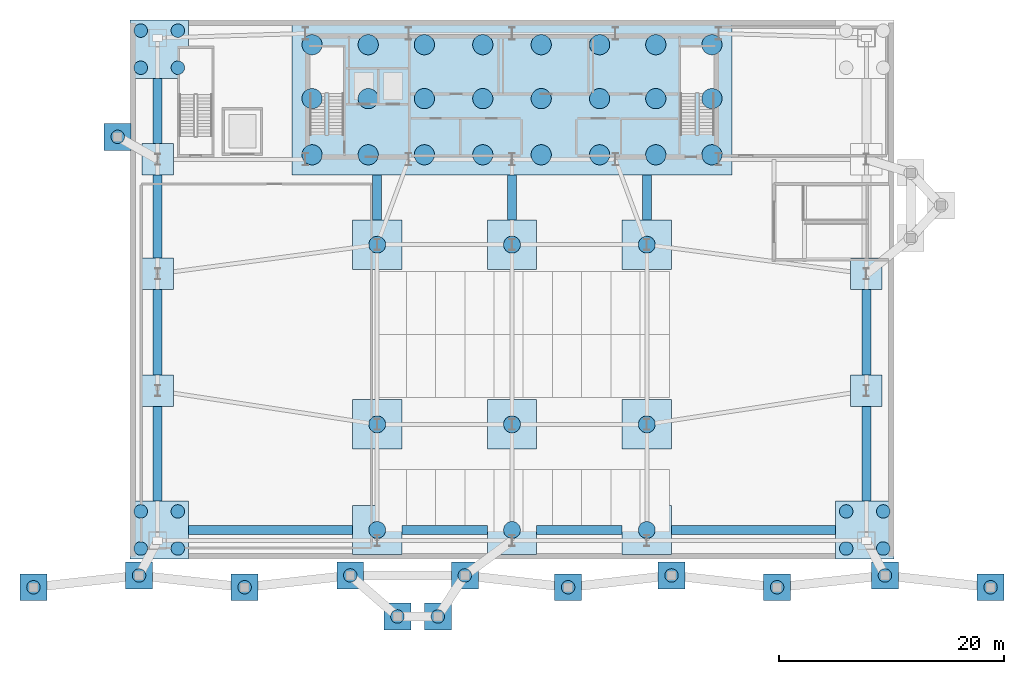
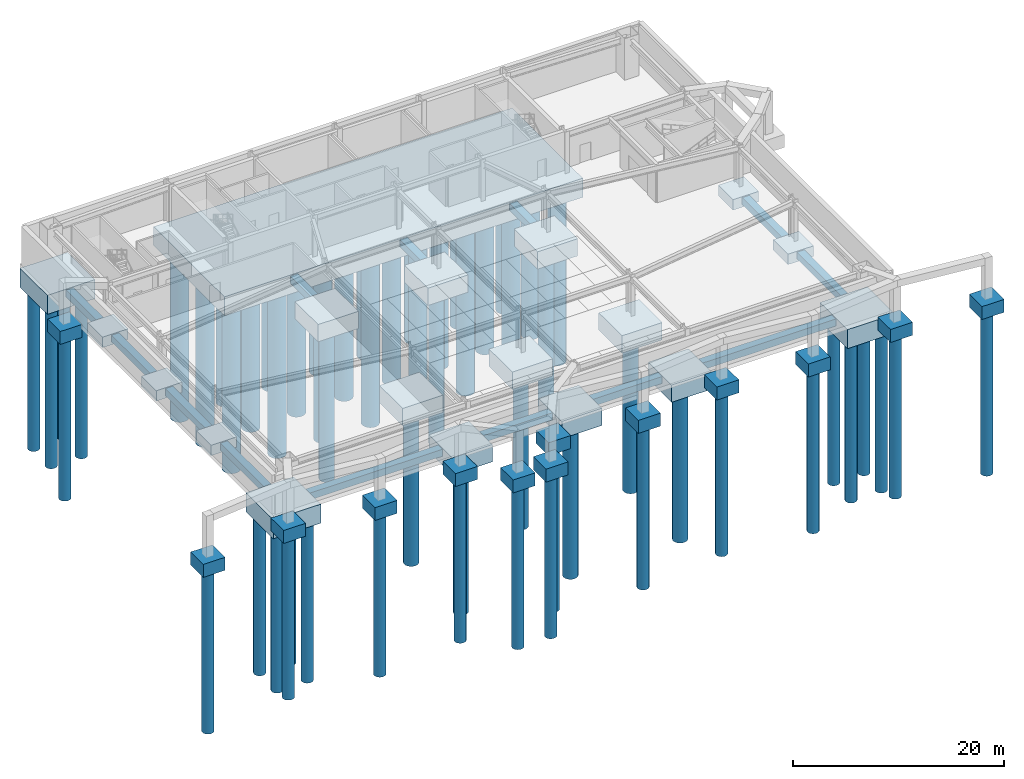
# One storey, part 1 of 12: 58 piles, 44 footings.
"""IFC4 building model written with IfcOpenShell, lengths in metres."""

from ifc_helpers import new_model, si_unit, direction, frame, origin, origin_2d, place, context, subcontext, project, spatial, polyline, rectangle, circle, outline, extrude, source, transform, mapped, material, material_profile, profile_set, type_object, type_shapes, element, save


model = new_model("IFC4")

# Units and contexts
model_context = context("Model", 3, precision=1e-05, world=origin(), true_north=direction((0.0, 1.0)))
body_context = subcontext(model_context, "Body", "Model", "MODEL_VIEW")
ifc_project = project(units=[si_unit("LENGTHUNIT", "METRE"), si_unit("AREAUNIT", "SQUARE_METRE"), si_unit("VOLUMEUNIT", "CUBIC_METRE"), si_unit("PLANEANGLEUNIT", "RADIAN"), si_unit("MASSUNIT", "GRAM", prefix="KILO")], contexts=[model_context])

# Site, building, storey
site_placement = place(None, origin())
site = spatial("IfcSite", under=ifc_project, at=site_placement, CompositionType="ELEMENT")
building_placement = place(site_placement, origin())
building = spatial("IfcBuilding", under=site, at=building_placement, Name="Varnel Quay Broadcast Tower", CompositionType="ELEMENT")
storey_placement = place(building_placement, frame((0.0, 0.0, -9.60009765625)))
storey = spatial("IfcBuildingStorey", under=building, at=storey_placement, Name="B2", CompositionType="ELEMENT", Elevation=-9.60009765625)

# Footings
ifc_material = material(Name="Concrete CSA A23.3 C50/60", Category="concrete")
footing_type_1 = type_object("IfcFootingType", Name="Footing_CoreMat2200", PredefinedType="PILE_CAP", material=ifc_material)
footing_1_placement = place(storey_placement, frame((0.0, 0.0, -2.699951171875)))
element("IfcFooting", 1, at=footing_1_placement, inside=storey, type_object=footing_type_1, Name="Core Mat Pile Cap PC-CORE", PredefinedType="PILE_CAP", context=body_context, shape_type="SweptSolid", body=[
    extrude(outline(polyline([(14.39990234375, 34.199951171875), (53.60009765625, 34.199951171875), (53.60009765625, 47.60009765625), (14.39990234375, 47.60009765625), (14.39990234375, 34.199951171875)])), origin(), (0.0, 0.0, 1.0), 2.199951171875),
])
footing_type_2 = type_object("IfcFootingType", Name="Footing_MegaCap5200", PredefinedType="PILE_CAP", material=ifc_material)
footing_2_placement = place(storey_placement, frame((0.0, 0.0, -2.699951171875)))
element("IfcFooting", 2, at=footing_2_placement, inside=storey, type_object=footing_type_2, Name="Mega-Column Pile Cap FT-MC-SW", PredefinedType="PILE_CAP", context=body_context, shape_type="SweptSolid", body=[
    extrude(outline(polyline([(0.0, 0.0), (5.199951171875, 0.0), (5.199951171875, 5.199951171875), (0.0, 5.199951171875), (0.0, 0.0)])), origin(), (0.0, 0.0, 1.0), 2.199951171875),
])
footing_3_placement = place(storey_placement, frame((0.0, 0.0, -2.699951171875)))
element("IfcFooting", 3, at=footing_3_placement, inside=storey, type_object=footing_type_2, Name="Mega-Column Pile Cap FT-MC-SE", PredefinedType="PILE_CAP", context=body_context, shape_type="SweptSolid", body=[
    extrude(outline(polyline([(62.800048828125, 0.0), (68.0, 0.0), (68.0, 5.199951171875), (62.800048828125, 5.199951171875), (62.800048828125, 0.0)])), origin(), (0.0, 0.0, 1.0), 2.199951171875),
])
footing_4_placement = place(storey_placement, frame((0.0, 0.0, -2.699951171875)))
element("IfcFooting", 4, at=footing_4_placement, inside=storey, type_object=footing_type_2, Name="Mega-Column Pile Cap FT-MC-NW", PredefinedType="PILE_CAP", context=body_context, shape_type="SweptSolid", body=[
    extrude(outline(polyline([(0.0, 42.800048828125), (5.199951171875, 42.800048828125), (5.199951171875, 48.0), (0.0, 48.0), (0.0, 42.800048828125)])), origin(), (0.0, 0.0, 1.0), 2.199951171875),
])
footing_type_3 = type_object("IfcFootingType", Name="Footing_Pad2800", PredefinedType="PAD_FOOTING", material=ifc_material)
footing_5_placement = place(storey_placement, frame((0.0, 0.0, -1.699951171875)))
element("IfcFooting", 5, at=footing_5_placement, inside=storey, type_object=footing_type_3, Name="Perimeter Pad Footing PF09", PredefinedType="PAD_FOOTING", context=body_context, shape_type="SweptSolid", body=[
    extrude(outline(polyline([(1.050048828125, 13.60009765625), (3.85009765625, 13.60009765625), (3.85009765625, 16.39990234375), (1.050048828125, 16.39990234375), (1.050048828125, 13.60009765625)])), origin(), (0.0, 0.0, 1.0), 1.199951171875),
])
footing_6_placement = place(storey_placement, frame((0.0, 0.0, -1.699951171875)))
element("IfcFooting", 6, at=footing_6_placement, inside=storey, type_object=footing_type_3, Name="Perimeter Pad Footing PF10", PredefinedType="PAD_FOOTING", context=body_context, shape_type="SweptSolid", body=[
    extrude(outline(polyline([(1.050048828125, 24.0), (3.85009765625, 24.0), (3.85009765625, 26.800048828125), (1.050048828125, 26.800048828125), (1.050048828125, 24.0)])), origin(), (0.0, 0.0, 1.0), 1.199951171875),
])
footing_7_placement = place(storey_placement, frame((0.0, 0.0, -1.699951171875)))
element("IfcFooting", 7, at=footing_7_placement, inside=storey, type_object=footing_type_3, Name="Perimeter Pad Footing PF11", PredefinedType="PAD_FOOTING", context=body_context, shape_type="SweptSolid", body=[
    extrude(outline(polyline([(1.050048828125, 34.199951171875), (3.85009765625, 34.199951171875), (3.85009765625, 37.0), (1.050048828125, 37.0), (1.050048828125, 34.199951171875)])), origin(), (0.0, 0.0, 1.0), 1.199951171875),
])
footing_8_placement = place(storey_placement, frame((0.0, 0.0, -1.699951171875)))
element("IfcFooting", 8, at=footing_8_placement, inside=storey, type_object=footing_type_3, Name="Perimeter Pad Footing PF12", PredefinedType="PAD_FOOTING", context=body_context, shape_type="SweptSolid", body=[
    extrude(outline(polyline([(64.14990234375, 13.60009765625), (66.949951171875, 13.60009765625), (66.949951171875, 16.39990234375), (64.14990234375, 16.39990234375), (64.14990234375, 13.60009765625)])), origin(), (0.0, 0.0, 1.0), 1.199951171875),
])
footing_9_placement = place(storey_placement, frame((0.0, 0.0, -1.699951171875)))
element("IfcFooting", 9, at=footing_9_placement, inside=storey, type_object=footing_type_3, Name="Perimeter Pad Footing PF13", PredefinedType="PAD_FOOTING", context=body_context, shape_type="SweptSolid", body=[
    extrude(outline(polyline([(64.14990234375, 24.0), (66.949951171875, 24.0), (66.949951171875, 26.800048828125), (64.14990234375, 26.800048828125), (64.14990234375, 24.0)])), origin(), (0.0, 0.0, 1.0), 1.199951171875),
])
footing_type_4 = type_object("IfcFootingType", Name="Footing_PierCap4400", PredefinedType="PILE_CAP", material=ifc_material)
footing_10_placement = place(storey_placement, frame((0.0, 0.0, -2.5)))
element("IfcFooting", 10, at=footing_10_placement, inside=storey, type_object=footing_type_4, Name="Studio Pier Cap PC01", PredefinedType="PILE_CAP", context=body_context, shape_type="SweptSolid", body=[
    extrude(outline(polyline([(19.800048828125, 0.39990234375), (24.199951171875, 0.39990234375), (24.199951171875, 4.800048828125), (19.800048828125, 4.800048828125), (19.800048828125, 0.39990234375)])), origin(), (0.0, 0.0, 1.0), 2.0),
])
footing_11_placement = place(storey_placement, frame((0.0, 0.0, -2.5)))
element("IfcFooting", 11, at=footing_11_placement, inside=storey, type_object=footing_type_4, Name="Studio Pier Cap PC02", PredefinedType="PILE_CAP", context=body_context, shape_type="SweptSolid", body=[
    extrude(outline(polyline([(31.800048828125, 0.39990234375), (36.199951171875, 0.39990234375), (36.199951171875, 4.800048828125), (31.800048828125, 4.800048828125), (31.800048828125, 0.39990234375)])), origin(), (0.0, 0.0, 1.0), 2.0),
])
footing_12_placement = place(storey_placement, frame((0.0, 0.0, -2.5)))
element("IfcFooting", 12, at=footing_12_placement, inside=storey, type_object=footing_type_4, Name="Studio Pier Cap PC03", PredefinedType="PILE_CAP", context=body_context, shape_type="SweptSolid", body=[
    extrude(outline(polyline([(43.800048828125, 0.39990234375), (48.199951171875, 0.39990234375), (48.199951171875, 4.800048828125), (43.800048828125, 4.800048828125), (43.800048828125, 0.39990234375)])), origin(), (0.0, 0.0, 1.0), 2.0),
])
footing_13_placement = place(storey_placement, frame((0.0, 0.0, -2.5)))
element("IfcFooting", 13, at=footing_13_placement, inside=storey, type_object=footing_type_4, Name="Studio Pier Cap PC04", PredefinedType="PILE_CAP", context=body_context, shape_type="SweptSolid", body=[
    extrude(outline(polyline([(19.800048828125, 9.800048828125), (24.199951171875, 9.800048828125), (24.199951171875, 14.199951171875), (19.800048828125, 14.199951171875), (19.800048828125, 9.800048828125)])), origin(), (0.0, 0.0, 1.0), 2.0),
])
footing_14_placement = place(storey_placement, frame((0.0, 0.0, -2.5)))
element("IfcFooting", 14, at=footing_14_placement, inside=storey, type_object=footing_type_4, Name="Studio Pier Cap PC04B", PredefinedType="PILE_CAP", context=body_context, shape_type="SweptSolid", body=[
    extrude(outline(polyline([(31.800048828125, 9.800048828125), (36.199951171875, 9.800048828125), (36.199951171875, 14.199951171875), (31.800048828125, 14.199951171875), (31.800048828125, 9.800048828125)])), origin(), (0.0, 0.0, 1.0), 2.0),
])
footing_15_placement = place(storey_placement, frame((0.0, 0.0, -2.5)))
element("IfcFooting", 15, at=footing_15_placement, inside=storey, type_object=footing_type_4, Name="Studio Pier Cap PC05", PredefinedType="PILE_CAP", context=body_context, shape_type="SweptSolid", body=[
    extrude(outline(polyline([(43.800048828125, 9.800048828125), (48.199951171875, 9.800048828125), (48.199951171875, 14.199951171875), (43.800048828125, 14.199951171875), (43.800048828125, 9.800048828125)])), origin(), (0.0, 0.0, 1.0), 2.0),
])
footing_16_placement = place(storey_placement, frame((0.0, 0.0, -2.5)))
element("IfcFooting", 16, at=footing_16_placement, inside=storey, type_object=footing_type_4, Name="Studio Pier Cap PC06", PredefinedType="PILE_CAP", context=body_context, shape_type="SweptSolid", body=[
    extrude(outline(polyline([(19.800048828125, 25.800048828125), (24.199951171875, 25.800048828125), (24.199951171875, 30.199951171875), (19.800048828125, 30.199951171875), (19.800048828125, 25.800048828125)])), origin(), (0.0, 0.0, 1.0), 2.0),
])
footing_17_placement = place(storey_placement, frame((0.0, 0.0, -2.5)))
element("IfcFooting", 17, at=footing_17_placement, inside=storey, type_object=footing_type_4, Name="Studio Pier Cap PC07", PredefinedType="PILE_CAP", context=body_context, shape_type="SweptSolid", body=[
    extrude(outline(polyline([(31.800048828125, 25.800048828125), (36.199951171875, 25.800048828125), (36.199951171875, 30.199951171875), (31.800048828125, 30.199951171875), (31.800048828125, 25.800048828125)])), origin(), (0.0, 0.0, 1.0), 2.0),
])
footing_18_placement = place(storey_placement, frame((0.0, 0.0, -2.5)))
element("IfcFooting", 18, at=footing_18_placement, inside=storey, type_object=footing_type_4, Name="Studio Pier Cap PC08", PredefinedType="PILE_CAP", context=body_context, shape_type="SweptSolid", body=[
    extrude(outline(polyline([(43.800048828125, 25.800048828125), (48.199951171875, 25.800048828125), (48.199951171875, 30.199951171875), (43.800048828125, 30.199951171875), (43.800048828125, 25.800048828125)])), origin(), (0.0, 0.0, 1.0), 2.0),
])
footing_type_5 = type_object("IfcFootingType", Name="Footing_PromCap2400", PredefinedType="PILE_CAP", material=ifc_material)
footing_19_placement = place(storey_placement, frame((0.0, 0.0, -1.5)))
element("IfcFooting", 19, at=footing_19_placement, inside=storey, type_object=footing_type_5, Name="Exterior Pier Pile Cap PRM01", PredefinedType="PILE_CAP", context=body_context, shape_type="SweptSolid", body=[
    extrude(outline(polyline([(-9.800048828125, -3.699951171875), (-7.39990234375, -3.699951171875), (-7.39990234375, -1.300048828125), (-9.800048828125, -1.300048828125), (-9.800048828125, -3.699951171875)])), origin(), (0.0, 0.0, 1.0), 1.5),
])
footing_20_placement = place(storey_placement, frame((0.0, 0.0, -1.5)))
element("IfcFooting", 20, at=footing_20_placement, inside=storey, type_object=footing_type_5, Name="Exterior Pier Pile Cap PRM02", PredefinedType="PILE_CAP", context=body_context, shape_type="SweptSolid", body=[
    extrude(outline(polyline([(-0.39990234375, -2.64990234375), (2.0, -2.64990234375), (2.0, -0.25), (-0.39990234375, -0.25), (-0.39990234375, -2.64990234375)])), origin(), (0.0, 0.0, 1.0), 1.5),
])
footing_21_placement = place(storey_placement, frame((0.0, 0.0, -1.5)))
element("IfcFooting", 21, at=footing_21_placement, inside=storey, type_object=footing_type_5, Name="Exterior Pier Pile Cap PRM03", PredefinedType="PILE_CAP", context=body_context, shape_type="SweptSolid", body=[
    extrude(outline(polyline([(9.0, -3.699951171875), (11.39990234375, -3.699951171875), (11.39990234375, -1.300048828125), (9.0, -1.300048828125), (9.0, -3.699951171875)])), origin(), (0.0, 0.0, 1.0), 1.5),
])
footing_22_placement = place(storey_placement, frame((0.0, 0.0, -1.5)))
element("IfcFooting", 22, at=footing_22_placement, inside=storey, type_object=footing_type_5, Name="Exterior Pier Pile Cap PRM04", PredefinedType="PILE_CAP", context=body_context, shape_type="SweptSolid", body=[
    extrude(outline(polyline([(18.39990234375, -2.64990234375), (20.800048828125, -2.64990234375), (20.800048828125, -0.25), (18.39990234375, -0.25), (18.39990234375, -2.64990234375)])), origin(), (0.0, 0.0, 1.0), 1.5),
])
footing_23_placement = place(storey_placement, frame((0.0, 0.0, -1.5)))
element("IfcFooting", 23, at=footing_23_placement, inside=storey, type_object=footing_type_5, Name="Exterior Pier Pile Cap PRM05", PredefinedType="PILE_CAP", context=body_context, shape_type="SweptSolid", body=[
    extrude(outline(polyline([(28.60009765625, -2.64990234375), (31.0, -2.64990234375), (31.0, -0.25), (28.60009765625, -0.25), (28.60009765625, -2.64990234375)])), origin(), (0.0, 0.0, 1.0), 1.5),
])
footing_24_placement = place(storey_placement, frame((0.0, 0.0, -1.5)))
element("IfcFooting", 24, at=footing_24_placement, inside=storey, type_object=footing_type_5, Name="Exterior Pier Pile Cap PRM06", PredefinedType="PILE_CAP", context=body_context, shape_type="SweptSolid", body=[
    extrude(outline(polyline([(37.800048828125, -3.699951171875), (40.199951171875, -3.699951171875), (40.199951171875, -1.300048828125), (37.800048828125, -1.300048828125), (37.800048828125, -3.699951171875)])), origin(), (0.0, 0.0, 1.0), 1.5),
])
footing_25_placement = place(storey_placement, frame((0.0, 0.0, -1.5)))
element("IfcFooting", 25, at=footing_25_placement, inside=storey, type_object=footing_type_5, Name="Exterior Pier Pile Cap PRM07", PredefinedType="PILE_CAP", context=body_context, shape_type="SweptSolid", body=[
    extrude(outline(polyline([(47.0, -2.64990234375), (49.39990234375, -2.64990234375), (49.39990234375, -0.25), (47.0, -0.25), (47.0, -2.64990234375)])), origin(), (0.0, 0.0, 1.0), 1.5),
])
footing_26_placement = place(storey_placement, frame((0.0, 0.0, -1.5)))
element("IfcFooting", 26, at=footing_26_placement, inside=storey, type_object=footing_type_5, Name="Exterior Pier Pile Cap PRM08", PredefinedType="PILE_CAP", context=body_context, shape_type="SweptSolid", body=[
    extrude(outline(polyline([(56.39990234375, -3.699951171875), (58.800048828125, -3.699951171875), (58.800048828125, -1.300048828125), (56.39990234375, -1.300048828125), (56.39990234375, -3.699951171875)])), origin(), (0.0, 0.0, 1.0), 1.5),
])
footing_27_placement = place(storey_placement, frame((0.0, 0.0, -1.5)))
element("IfcFooting", 27, at=footing_27_placement, inside=storey, type_object=footing_type_5, Name="Exterior Pier Pile Cap PRM09", PredefinedType="PILE_CAP", context=body_context, shape_type="SweptSolid", body=[
    extrude(outline(polyline([(66.0, -2.64990234375), (68.39990234375, -2.64990234375), (68.39990234375, -0.25), (66.0, -0.25), (66.0, -2.64990234375)])), origin(), (0.0, 0.0, 1.0), 1.5),
])
footing_28_placement = place(storey_placement, frame((0.0, 0.0, -1.5)))
element("IfcFooting", 28, at=footing_28_placement, inside=storey, type_object=footing_type_5, Name="Exterior Pier Pile Cap PRM10", PredefinedType="PILE_CAP", context=body_context, shape_type="SweptSolid", body=[
    extrude(outline(polyline([(75.39990234375, -3.699951171875), (77.800048828125, -3.699951171875), (77.800048828125, -1.300048828125), (75.39990234375, -1.300048828125), (75.39990234375, -3.699951171875)])), origin(), (0.0, 0.0, 1.0), 1.5),
])
footing_29_placement = place(storey_placement, frame((0.0, 0.0, -1.5)))
element("IfcFooting", 29, at=footing_29_placement, inside=storey, type_object=footing_type_5, Name="Exterior Pier Pile Cap QRMP1", PredefinedType="PILE_CAP", context=body_context, shape_type="SweptSolid", body=[
    extrude(outline(polyline([(22.60009765625, -6.300048828125), (25.0, -6.300048828125), (25.0, -3.89990234375), (22.60009765625, -3.89990234375), (22.60009765625, -6.300048828125)])), origin(), (0.0, 0.0, 1.0), 1.5),
])
footing_30_placement = place(storey_placement, frame((0.0, 0.0, -1.5)))
element("IfcFooting", 30, at=footing_30_placement, inside=storey, type_object=footing_type_5, Name="Exterior Pier Pile Cap QRMP2", PredefinedType="PILE_CAP", context=body_context, shape_type="SweptSolid", body=[
    extrude(outline(polyline([(26.199951171875, -6.300048828125), (28.60009765625, -6.300048828125), (28.60009765625, -3.89990234375), (26.199951171875, -3.89990234375), (26.199951171875, -6.300048828125)])), origin(), (0.0, 0.0, 1.0), 1.5),
])
footing_31_placement = place(storey_placement, frame((0.0, 0.0, -1.5)))
element("IfcFooting", 31, at=footing_31_placement, inside=storey, type_object=footing_type_5, Name="Exterior Pier Pile Cap WEXT1", PredefinedType="PILE_CAP", context=body_context, shape_type="SweptSolid", body=[
    extrude(outline(polyline([(-2.300048828125, 36.39990234375), (0.10009765625, 36.39990234375), (0.10009765625, 38.800048828125), (-2.300048828125, 38.800048828125), (-2.300048828125, 36.39990234375)])), origin(), (0.0, 0.0, 1.0), 1.5),
])

# Piles
ifc_material_profile_1 = material_profile(ifc_material, circle(Radius=0.89990234375, at=origin_2d()), Name="CAISSON1800")
ifc_profile_set_1 = profile_set([ifc_material_profile_1], Name="Concrete CSA A23.3 C50/60")
pile_type_1 = type_object("IfcPileType", Name="Pile_CAISSON1800", PredefinedType="BORED", material=ifc_profile_set_1)
shared_shape_1 = source(origin(), body_context, "Body", "SweptSolid", [
    extrude(circle(Radius=0.89990234375, at=origin_2d()), origin(), (0.0, 0.0, 1.0), 19.5),
])
type_shapes(pile_type_1, [shared_shape_1])
for number, where, z_axis, x_axis, name in (
    (32, (16.199951171875, 36.0, -2.5498046875), (0.0, 0.0, -1.0), (1.0, 0.0, 0.0), "Core Caisson P-1800 #1"),
    (33, (16.199951171875, 41.0, -2.5498046875), (0.0, 0.0, -1.0), (1.0, 0.0, 0.0), "Core Caisson P-1800 #2"),
    (34, (16.199951171875, 45.800048828125, -2.5498046875), (0.0, 0.0, -1.0), (1.0, 0.0, 0.0), "Core Caisson P-1800 #3"),
    (35, (21.199951171875, 36.0, -2.5498046875), (0.0, 0.0, -1.0), (1.0, 0.0, 0.0), "Core Caisson P-1800 #4"),
    (36, (21.199951171875, 41.0, -2.5498046875), (0.0, 0.0, -1.0), (1.0, 0.0, 0.0), "Core Caisson P-1800 #5"),
    (37, (21.199951171875, 45.800048828125, -2.5498046875), (0.0, 0.0, -1.0), (1.0, 0.0, 0.0), "Core Caisson P-1800 #6"),
    (38, (26.199951171875, 36.0, -2.5498046875), (0.0, 0.0, -1.0), (1.0, 0.0, 0.0), "Core Caisson P-1800 #7"),
    (39, (26.199951171875, 41.0, -2.5498046875), (0.0, 0.0, -1.0), (1.0, 0.0, 0.0), "Core Caisson P-1800 #8"),
    (40, (26.199951171875, 45.800048828125, -2.5498046875), (0.0, 0.0, -1.0), (1.0, 0.0, 0.0), "Core Caisson P-1800 #9"),
    (41, (31.39990234375, 36.0, -2.5498046875), (0.0, 0.0, -1.0), (1.0, 0.0, 0.0), "Core Caisson P-1800 #10"),
    (42, (31.39990234375, 41.0, -2.5498046875), (0.0, 0.0, -1.0), (1.0, 0.0, 0.0), "Core Caisson P-1800 #11"),
    (43, (31.39990234375, 45.800048828125, -2.5498046875), (0.0, 0.0, -1.0), (1.0, 0.0, 0.0), "Core Caisson P-1800 #12"),
    (44, (36.60009765625, 36.0, -2.5498046875), (0.0, 0.0, -1.0), (1.0, 0.0, 0.0), "Core Caisson P-1800 #13"),
    (45, (36.60009765625, 41.0, -2.5498046875), (0.0, 0.0, -1.0), (1.0, 0.0, 0.0), "Core Caisson P-1800 #14"),
    (46, (36.60009765625, 45.800048828125, -2.5498046875), (0.0, 0.0, -1.0), (1.0, 0.0, 0.0), "Core Caisson P-1800 #15"),
    (47, (41.800048828125, 36.0, -2.5498046875), (0.0, 0.0, -1.0), (1.0, 0.0, 0.0), "Core Caisson P-1800 #16"),
    (48, (41.800048828125, 41.0, -2.5498046875), (0.0, 0.0, -1.0), (1.0, 0.0, 0.0), "Core Caisson P-1800 #17"),
    (49, (41.800048828125, 45.800048828125, -2.5498046875), (0.0, 0.0, -1.0), (1.0, 0.0, 0.0), "Core Caisson P-1800 #18"),
    (50, (46.800048828125, 36.0, -2.5498046875), (0.0, 0.0, -1.0), (1.0, 0.0, 0.0), "Core Caisson P-1800 #19"),
    (51, (46.800048828125, 41.0, -2.5498046875), (0.0, 0.0, -1.0), (1.0, 0.0, 0.0), "Core Caisson P-1800 #20"),
    (52, (46.800048828125, 45.800048828125, -2.5498046875), (0.0, 0.0, -1.0), (1.0, 0.0, 0.0), "Core Caisson P-1800 #21"),
    (53, (51.800048828125, 36.0, -2.5498046875), (0.0, 0.0, -1.0), (1.0, 0.0, 0.0), "Core Caisson P-1800 #22"),
    (54, (51.800048828125, 41.0, -2.5498046875), (0.0, 0.0, -1.0), (1.0, 0.0, 0.0), "Core Caisson P-1800 #23"),
    (55, (51.800048828125, 45.800048828125, -2.5498046875), (0.0, 0.0, -1.0), (1.0, 0.0, 0.0), "Core Caisson P-1800 #24"),
):
    element("IfcPile", number, at=place(storey_placement, frame(where, z_axis=z_axis, x_axis=x_axis)), inside=storey, type_object=pile_type_1, Name=name, PredefinedType="BORED", context=body_context, shape_type="MappedRepresentation", body=[
        mapped(shared_shape_1, transform((0.0, 0.0, 0.0), x_axis=(1.0, 0.0, 0.0), y_axis=(0.0, 1.0, 0.0), z_axis=(0.0, 0.0, 1.0), scale=1.0)),
    ])
ifc_material_profile_2 = material_profile(ifc_material, circle(Radius=0.60009765625, at=origin_2d()), Name="CAISSON1200")
ifc_profile_set_2 = profile_set([ifc_material_profile_2], Name="Concrete CSA A23.3 C50/60")
pile_type_2 = type_object("IfcPileType", Name="Pile_CAISSON1200", PredefinedType="BORED", material=ifc_profile_set_2)
shared_shape_2 = source(origin(), body_context, "Body", "SweptSolid", [
    extrude(circle(Radius=0.60009765625, at=origin_2d()), origin(), (0.0, 0.0, 1.0), 18.5),
])
for number, where, z_axis, x_axis, name in (
    (56, (0.949951171875, 0.949951171875, -2.5498046875), (0.0, 0.0, -1.0), (1.0, 0.0, 0.0), "Mega-Cap Caisson P-1200 #25"),
    (57, (0.949951171875, 4.25, -2.5498046875), (0.0, 0.0, -1.0), (1.0, 0.0, 0.0), "Mega-Cap Caisson P-1200 #26"),
    (58, (4.25, 0.949951171875, -2.5498046875), (0.0, 0.0, -1.0), (1.0, 0.0, 0.0), "Mega-Cap Caisson P-1200 #27"),
    (59, (4.25, 4.25, -2.5498046875), (0.0, 0.0, -1.0), (1.0, 0.0, 0.0), "Mega-Cap Caisson P-1200 #28"),
    (60, (63.75, 0.949951171875, -2.5498046875), (0.0, 0.0, -1.0), (1.0, 0.0, 0.0), "Mega-Cap Caisson P-1200 #29"),
    (61, (63.75, 4.25, -2.5498046875), (0.0, 0.0, -1.0), (1.0, 0.0, 0.0), "Mega-Cap Caisson P-1200 #30"),
    (62, (67.050048828125, 0.949951171875, -2.5498046875), (0.0, 0.0, -1.0), (1.0, 0.0, 0.0), "Mega-Cap Caisson P-1200 #31"),
    (63, (67.050048828125, 4.25, -2.5498046875), (0.0, 0.0, -1.0), (1.0, 0.0, 0.0), "Mega-Cap Caisson P-1200 #32"),
    (64, (0.949951171875, 43.75, -2.5498046875), (0.0, 0.0, -1.0), (1.0, 0.0, 0.0), "Mega-Cap Caisson P-1200 #37"),
    (65, (0.949951171875, 47.050048828125, -2.5498046875), (0.0, 0.0, -1.0), (1.0, 0.0, 0.0), "Mega-Cap Caisson P-1200 #38"),
    (66, (4.25, 43.75, -2.5498046875), (0.0, 0.0, -1.0), (1.0, 0.0, 0.0), "Mega-Cap Caisson P-1200 #39"),
    (67, (4.25, 47.050048828125, -2.5498046875), (0.0, 0.0, -1.0), (1.0, 0.0, 0.0), "Mega-Cap Caisson P-1200 #40"),
):
    element("IfcPile", number, at=place(storey_placement, frame(where, z_axis=z_axis, x_axis=x_axis)), inside=storey, type_object=pile_type_2, Name=name, PredefinedType="BORED", context=body_context, shape_type="MappedRepresentation", body=[
        mapped(shared_shape_2, transform((0.0, 0.0, 0.0), x_axis=(1.0, 0.0, 0.0), y_axis=(0.0, 1.0, 0.0), z_axis=(0.0, 0.0, 1.0), scale=1.0)),
    ])
ifc_material_profile_3 = material_profile(ifc_material, circle(Radius=0.75, at=origin_2d()), Name="CAISSON1500")
ifc_profile_set_3 = profile_set([ifc_material_profile_3], Name="Concrete CSA A23.3 C50/60")
pile_type_3 = type_object("IfcPileType", Name="Pile_CAISSON1500", PredefinedType="BORED", material=ifc_profile_set_3)
shared_shape_3 = source(origin(), body_context, "Body", "SweptSolid", [
    extrude(circle(Radius=0.75, at=origin_2d()), origin(), (0.0, 0.0, 1.0), 18.0),
])
type_shapes(pile_type_3, [shared_shape_3])
for number, where, z_axis, x_axis, name in (
    (68, (22.0, 2.60009765625, -2.349853515625), (0.0, 0.0, -1.0), (1.0, 0.0, 0.0), "Studio Pier Caisson P-1500 #41"),
    (69, (34.0, 2.60009765625, -2.349853515625), (0.0, 0.0, -1.0), (1.0, 0.0, 0.0), "Studio Pier Caisson P-1500 #42"),
    (70, (46.0, 2.60009765625, -2.349853515625), (0.0, 0.0, -1.0), (1.0, 0.0, 0.0), "Studio Pier Caisson P-1500 #43"),
    (71, (22.0, 12.0, -2.349853515625), (0.0, 0.0, -1.0), (1.0, 0.0, 0.0), "Studio Pier Caisson P-1500 #44"),
    (72, (34.0, 12.0, -2.349853515625), (0.0, 0.0, -1.0), (1.0, 0.0, 0.0), "Studio Pier Caisson P-1500 #45"),
    (73, (46.0, 12.0, -2.349853515625), (0.0, 0.0, -1.0), (1.0, 0.0, 0.0), "Studio Pier Caisson P-1500 #46"),
    (74, (22.0, 28.0, -2.349853515625), (0.0, 0.0, -1.0), (1.0, 0.0, 0.0), "Studio Pier Caisson P-1500 #47"),
    (75, (34.0, 28.0, -2.349853515625), (0.0, 0.0, -1.0), (1.0, 0.0, 0.0), "Studio Pier Caisson P-1500 #48"),
    (76, (46.0, 28.0, -2.349853515625), (0.0, 0.0, -1.0), (1.0, 0.0, 0.0), "Studio Pier Caisson P-1500 #49"),
):
    element("IfcPile", number, at=place(storey_placement, frame(where, z_axis=z_axis, x_axis=x_axis)), inside=storey, type_object=pile_type_3, Name=name, PredefinedType="BORED", context=body_context, shape_type="MappedRepresentation", body=[
        mapped(shared_shape_3, transform((0.0, 0.0, 0.0), x_axis=(1.0, 0.0, 0.0), y_axis=(0.0, 1.0, 0.0), z_axis=(0.0, 0.0, 1.0), scale=1.0)),
    ])

# Footings
ifc_material_profile_4 = material_profile(ifc_material, rectangle(XDim=0.800048828125, YDim=0.800048828125, at=origin_2d()), Name="RC800X800")
ifc_profile_set_4 = profile_set([ifc_material_profile_4], Name="Concrete CSA A23.3 C50/60")
footing_type_6 = type_object("IfcFootingType", Name="Footing_TieBeam800", PredefinedType="FOOTING_BEAM", material=ifc_profile_set_4)
shared_shape_4 = source(origin(), body_context, "Body", "SweptSolid", [
    extrude(rectangle(XDim=0.800048828125, YDim=0.800048828125, at=origin_2d()), origin(), (0.0, 0.0, 1.0), 14.60009765625),
])
for number, where, z_axis, x_axis, name in (
    (77, (5.199951171875, 2.60009765625, -1.0), (1.0, 0.0, 0.0), (0.0, 1.0, 0.0), "Footing Tie Beam FB-S1"),
    (78, (48.199951171875, 2.60009765625, -1.0), (1.0, 0.0, 0.0), (0.0, 1.0, 0.0), "Footing Tie Beam FB-S4"),
):
    element("IfcFooting", number, at=place(storey_placement, frame(where, z_axis=z_axis, x_axis=x_axis)), inside=storey, type_object=footing_type_6, Name=name, PredefinedType="FOOTING_BEAM", context=body_context, shape_type="MappedRepresentation", body=[
        mapped(shared_shape_4, transform((0.0, 0.0, 0.0), x_axis=(1.0, 0.0, 0.0), y_axis=(0.0, 1.0, 0.0), z_axis=(0.0, 0.0, 1.0), scale=1.0)),
    ])
shared_shape_5 = source(origin(), body_context, "Body", "SweptSolid", [
    extrude(rectangle(XDim=0.800048828125, YDim=0.800048828125, at=origin_2d()), origin(), (0.0, 0.0, 1.0), 7.60009765625),
])
for number, where, z_axis, x_axis, name in (
    (79, (24.199951171875, 2.60009765625, -1.0), (1.0, 0.0, 0.0), (0.0, 1.0, 0.0), "Footing Tie Beam FB-S2"),
    (80, (36.199951171875, 2.60009765625, -1.0), (1.0, 0.0, 0.0), (0.0, 1.0, 0.0), "Footing Tie Beam FB-S3"),
    (81, (2.449951171875, 16.39990234375, -1.0), (0.0, 1.0, 0.0), (-1.0, 0.0, 0.0), "Footing Tie Beam FB-W2"),
    (82, (65.550048828125, 16.39990234375, -1.0), (0.0, 1.0, 0.0), (-1.0, 0.0, 0.0), "Footing Tie Beam FB-E2"),
):
    element("IfcFooting", number, at=place(storey_placement, frame(where, z_axis=z_axis, x_axis=x_axis)), inside=storey, type_object=footing_type_6, Name=name, PredefinedType="FOOTING_BEAM", context=body_context, shape_type="MappedRepresentation", body=[
        mapped(shared_shape_5, transform((0.0, 0.0, 0.0), x_axis=(1.0, 0.0, 0.0), y_axis=(0.0, 1.0, 0.0), z_axis=(0.0, 0.0, 1.0), scale=1.0)),
    ])
shared_shape_6 = source(origin(), body_context, "Body", "SweptSolid", [
    extrude(rectangle(XDim=0.800048828125, YDim=0.800048828125, at=origin_2d()), origin(), (0.0, 0.0, 1.0), 8.400146484375),
])
for number, where, z_axis, x_axis, name in (
    (83, (2.449951171875, 5.199951171875, -1.0), (0.0, 1.0, 0.0), (-1.0, 0.0, 0.0), "Footing Tie Beam FB-W1"),
    (84, (65.550048828125, 5.199951171875, -1.0), (0.0, 1.0, 0.0), (-1.0, 0.0, 0.0), "Footing Tie Beam FB-E1"),
):
    element("IfcFooting", number, at=place(storey_placement, frame(where, z_axis=z_axis, x_axis=x_axis)), inside=storey, type_object=footing_type_6, Name=name, PredefinedType="FOOTING_BEAM", context=body_context, shape_type="MappedRepresentation", body=[
        mapped(shared_shape_6, transform((0.0, 0.0, 0.0), x_axis=(1.0, 0.0, 0.0), y_axis=(0.0, 1.0, 0.0), z_axis=(0.0, 0.0, 1.0), scale=1.0)),
    ])
shared_shape_7 = source(origin(), body_context, "Body", "SweptSolid", [
    extrude(rectangle(XDim=0.800048828125, YDim=0.800048828125, at=origin_2d()), origin(), (0.0, 0.0, 1.0), 7.39990234375),
])
footing_32_placement = place(storey_placement, frame((2.449951171875, 26.800048828125, -1.0), z_axis=(0.0, 1.0, 0.0), x_axis=(-1.0, 0.0, 0.0)))
element("IfcFooting", 85, at=footing_32_placement, inside=storey, type_object=footing_type_6, Name="Footing Tie Beam FB-W3", PredefinedType="FOOTING_BEAM", context=body_context, shape_type="MappedRepresentation", body=[
    mapped(shared_shape_7, transform((0.0, 0.0, 0.0), x_axis=(1.0, 0.0, 0.0), y_axis=(0.0, 1.0, 0.0), z_axis=(0.0, 0.0, 1.0), scale=1.0)),
])
shared_shape_8 = source(origin(), body_context, "Body", "SweptSolid", [
    extrude(rectangle(XDim=0.800048828125, YDim=0.800048828125, at=origin_2d()), origin(), (0.0, 0.0, 1.0), 5.800048828125),
])
footing_33_placement = place(storey_placement, frame((2.449951171875, 37.0, -1.0), z_axis=(0.0, 1.0, 0.0), x_axis=(-1.0, 0.0, 0.0)))
element("IfcFooting", 86, at=footing_33_placement, inside=storey, type_object=footing_type_6, Name="Footing Tie Beam FB-W4", PredefinedType="FOOTING_BEAM", context=body_context, shape_type="MappedRepresentation", body=[
    mapped(shared_shape_8, transform((0.0, 0.0, 0.0), x_axis=(1.0, 0.0, 0.0), y_axis=(0.0, 1.0, 0.0), z_axis=(0.0, 0.0, 1.0), scale=1.0)),
])
shared_shape_9 = source(origin(), body_context, "Body", "SweptSolid", [
    extrude(rectangle(XDim=0.800048828125, YDim=0.800048828125, at=origin_2d()), origin(), (0.0, 0.0, 1.0), 4.0),
])
type_shapes(footing_type_6, [shared_shape_4, shared_shape_5, shared_shape_6, shared_shape_7, shared_shape_8, shared_shape_9])
for number, where, z_axis, x_axis, name in (
    (87, (22.0, 30.199951171875, -1.0), (0.0, 1.0, 0.0), (-1.0, 0.0, 0.0), "Footing Tie Beam FB-C1"),
    (88, (34.0, 30.199951171875, -1.0), (0.0, 1.0, 0.0), (-1.0, 0.0, 0.0), "Footing Tie Beam FB-C2"),
    (89, (46.0, 30.199951171875, -1.0), (0.0, 1.0, 0.0), (-1.0, 0.0, 0.0), "Footing Tie Beam FB-C3"),
):
    element("IfcFooting", number, at=place(storey_placement, frame(where, z_axis=z_axis, x_axis=x_axis)), inside=storey, type_object=footing_type_6, Name=name, PredefinedType="FOOTING_BEAM", context=body_context, shape_type="MappedRepresentation", body=[
        mapped(shared_shape_9, transform((0.0, 0.0, 0.0), x_axis=(1.0, 0.0, 0.0), y_axis=(0.0, 1.0, 0.0), z_axis=(0.0, 0.0, 1.0), scale=1.0)),
    ])

# Piles
shared_shape_10 = source(origin(), body_context, "Body", "SweptSolid", [
    extrude(circle(Radius=0.60009765625, at=origin_2d()), origin(), (0.0, 0.0, 1.0), 19.0),
])
type_shapes(pile_type_2, [shared_shape_2, shared_shape_10])
for number, where, z_axis, x_axis, name in (
    (90, (-8.60009765625, -2.5, -1.349853515625), (0.0, 0.0, -1.0), (1.0, 0.0, 0.0), "Exterior Pier Caisson P-1200 #50"),
    (91, (0.800048828125, -1.449951171875, -1.349853515625), (0.0, 0.0, -1.0), (1.0, 0.0, 0.0), "Exterior Pier Caisson P-1200 #51"),
    (92, (10.199951171875, -2.5, -1.349853515625), (0.0, 0.0, -1.0), (1.0, 0.0, 0.0), "Exterior Pier Caisson P-1200 #52"),
    (93, (19.60009765625, -1.449951171875, -1.349853515625), (0.0, 0.0, -1.0), (1.0, 0.0, 0.0), "Exterior Pier Caisson P-1200 #53"),
    (94, (29.800048828125, -1.449951171875, -1.349853515625), (0.0, 0.0, -1.0), (1.0, 0.0, 0.0), "Exterior Pier Caisson P-1200 #54"),
    (95, (39.0, -2.5, -1.349853515625), (0.0, 0.0, -1.0), (1.0, 0.0, 0.0), "Exterior Pier Caisson P-1200 #55"),
    (96, (48.199951171875, -1.449951171875, -1.349853515625), (0.0, 0.0, -1.0), (1.0, 0.0, 0.0), "Exterior Pier Caisson P-1200 #56"),
    (97, (57.60009765625, -2.5, -1.349853515625), (0.0, 0.0, -1.0), (1.0, 0.0, 0.0), "Exterior Pier Caisson P-1200 #57"),
    (98, (67.199951171875, -1.449951171875, -1.349853515625), (0.0, 0.0, -1.0), (1.0, 0.0, 0.0), "Exterior Pier Caisson P-1200 #58"),
    (99, (76.60009765625, -2.5, -1.349853515625), (0.0, 0.0, -1.0), (1.0, 0.0, 0.0), "Exterior Pier Caisson P-1200 #59"),
    (100, (23.800048828125, -5.10009765625, -1.349853515625), (0.0, 0.0, -1.0), (1.0, 0.0, 0.0), "Exterior Pier Caisson P-1200 #60"),
    (101, (27.39990234375, -5.10009765625, -1.349853515625), (0.0, 0.0, -1.0), (1.0, 0.0, 0.0), "Exterior Pier Caisson P-1200 #61"),
    (102, (-1.10009765625, 37.60009765625, -1.349853515625), (0.0, 0.0, -1.0), (1.0, 0.0, 0.0), "Exterior Pier Caisson P-1200 #65"),
):
    element("IfcPile", number, at=place(storey_placement, frame(where, z_axis=z_axis, x_axis=x_axis)), inside=storey, type_object=pile_type_2, Name=name, PredefinedType="BORED", context=body_context, shape_type="MappedRepresentation", body=[
        mapped(shared_shape_10, transform((0.0, 0.0, 0.0), x_axis=(1.0, 0.0, 0.0), y_axis=(0.0, 1.0, 0.0), z_axis=(0.0, 0.0, 1.0), scale=1.0)),
    ])

save(model, "model.ifc")
